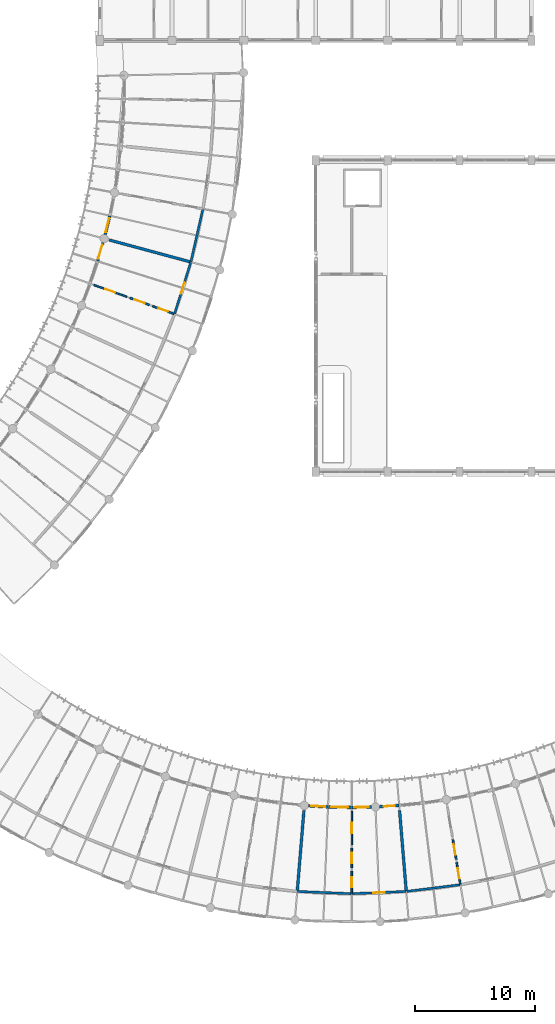
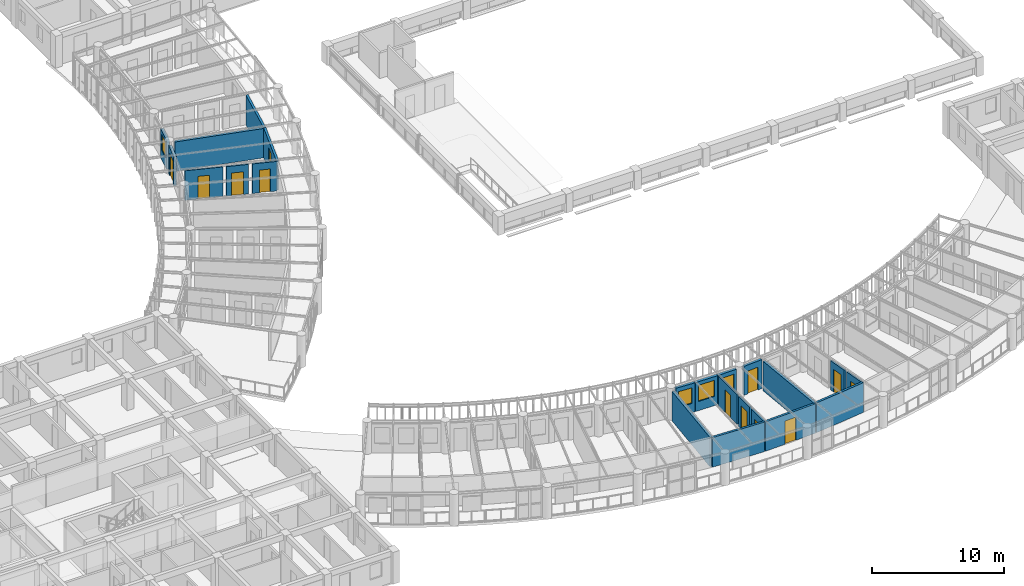
# One storey, part 93 of 137: 22 walls, 12 doors, 4 windows, 16 openings.
"""IFC4 building model written with IfcOpenShell, lengths in metres."""

import ifcopenshell
import ifcopenshell.guid

model = None  # the IFC model being written
_history = None  # IfcOwnerHistory: only IFC2X3 demands one
_inside = {}  # id of a spatial element -> (the spatial element, [elements in it])
_under = {}  # id of a project, library or spatial element -> (it, [spatial elements below it])
_declared = {}  # id of a project -> (the project, [libraries it declares])
_typed = {}  # id of a type object -> (the type object, [elements of that type])
_made_of = {}  # id of a material, layer set ... -> (it, [elements and type objects made of it])


def new_model(schema):
    """Start an empty IFC model of exactly this schema.

    Asked for "IFC4X3", IfcOpenShell would pick the latest addendum, in which some entities
    have other attributes; the version numbers below select the first issue.
    IFC2X3 requires an IfcOwnerHistory on every rooted entity: one is made here for all.
    """
    global model, _history
    if schema == "IFC4X3":
        model = ifcopenshell.file(schema_version=(4, 3, 0, 0))
    else:
        model = ifcopenshell.file(schema=schema)
    _inside.clear()
    _under.clear()
    _declared.clear()
    _typed.clear()
    _made_of.clear()
    _history = None
    if model.schema == "IFC2X3":
        org = make("IfcOrganization", Name="unknown")
        user = make(
            "IfcPersonAndOrganization",
            ThePerson=make("IfcPerson", FamilyName="unknown"),
            TheOrganization=org,
        )
        app = make(
            "IfcApplication",
            ApplicationDeveloper=org,
            Version="unknown",
            ApplicationFullName="unknown",
            ApplicationIdentifier="unknown",
        )
        _history = make(
            "IfcOwnerHistory",
            OwningUser=user,
            OwningApplication=app,
            ChangeAction="ADDED",
            CreationDate=0,
        )
    return model


def make(cls, **values):
    """One entity of the class cls with the attributes given. An attribute that is None is left unset."""
    return model.create_entity(
        cls, **{name: value for name, value in values.items() if value is not None}
    )


def rooted(cls, **values):
    """An entity with a GlobalId (a new one), such as an element, a storey or a relation."""
    return make(cls, GlobalId=ifcopenshell.guid.new(), OwnerHistory=_history, **values)


def si_unit(unit_type, name, prefix=None):
    """IfcSIUnit, for example si_unit("LENGTHUNIT", "METRE", prefix="MILLI")."""
    return make("IfcSIUnit", UnitType=unit_type, Prefix=prefix, Name=name)


def assignment(units):
    """IfcUnitAssignment: the units of a project."""
    return None if units is None else make("IfcUnitAssignment", Units=units)


def point(xyz):
    """IfcCartesianPoint."""
    return None if xyz is None else make("IfcCartesianPoint", Coordinates=xyz)


def direction(xyz):
    """IfcDirection."""
    return None if xyz is None else make("IfcDirection", DirectionRatios=xyz)


def frame(location, z_axis=None, x_axis=None):
    """IfcAxis2Placement3D, a coordinate frame: its origin and axes. An axis left out is left unset."""
    return make(
        "IfcAxis2Placement3D",
        Location=point(location),
        Axis=direction(z_axis),
        RefDirection=direction(x_axis),
    )


def frame_2d(location, x_axis=None):
    """IfcAxis2Placement2D, a coordinate frame in the plane: its origin and x axis."""
    return make(
        "IfcAxis2Placement2D", Location=point(location), RefDirection=direction(x_axis)
    )


def origin():
    """The frame at (0, 0, 0) with its axes left unset."""
    return frame((0.0, 0.0, 0.0))


def place(relative_to, where):
    """IfcLocalPlacement: puts the frame where relative to a parent placement (None: the world)."""
    return make(
        "IfcLocalPlacement", PlacementRelTo=relative_to, RelativePlacement=where
    )


def context(
    kind, dimensions, precision=None, world=None, true_north=None, identifier=None
):
    """IfcGeometricRepresentationContext, for example the 3D "Model" context."""
    return make(
        "IfcGeometricRepresentationContext",
        ContextIdentifier=identifier,
        ContextType=kind,
        CoordinateSpaceDimension=dimensions,
        Precision=precision,
        WorldCoordinateSystem=world,
        TrueNorth=true_north,
    )


def subcontext(parent, identifier, kind, view, scale=None):
    """IfcGeometricRepresentationSubContext, for example "Body" below "Model"."""
    return make(
        "IfcGeometricRepresentationSubContext",
        ContextIdentifier=identifier,
        ContextType=kind,
        ParentContext=parent,
        TargetScale=scale,
        TargetView=view,
    )


def project(units=None, contexts=None):
    """IfcProject with its units and contexts."""
    return rooted(
        "IfcProject",
        Name="project",
        RepresentationContexts=contexts,
        UnitsInContext=assignment(units),
    )


def spatial(cls, under=None, at=None, **own):
    """A site, building, storey or space (cls), placed at a placement, below another one or the project."""
    s = rooted(cls, ObjectPlacement=at, **own)
    if under is not None:
        _under.setdefault(under.id(), (under, []))[1].append(s)
    return s


def profile(cls, at=None, kind="AREA", **sizes):
    """A parametric profile (cls). Its sizes go by their IFC names, for example OverallWidth=200.0."""
    return make(cls, ProfileType=kind, Position=at, **sizes)


def rectangle(**sizes):
    """IfcRectangleProfileDef."""
    return profile("IfcRectangleProfileDef", **sizes)


def extrude(swept, where, along, depth):
    """IfcExtrudedAreaSolid: the profile swept, set in the frame where, extruded along a direction by depth."""
    return make(
        "IfcExtrudedAreaSolid",
        SweptArea=swept,
        Position=where,
        ExtrudedDirection=direction(along),
        Depth=depth,
    )


def shape(context_of_items, identifier, shape_type, items):
    """IfcShapeRepresentation: the items that make up one representation, for example the "Body"."""
    return make(
        "IfcShapeRepresentation",
        ContextOfItems=context_of_items,
        RepresentationIdentifier=identifier,
        RepresentationType=shape_type,
        Items=items,
    )


def material(Name=None, Category=None):
    """IfcMaterial."""
    return make("IfcMaterial", Name=Name, Category=Category)


def layer(
    of_material, thickness, ventilated=None, Name=None, Category=None, Priority=None
):
    """IfcMaterialLayer: one layer of a wall or slab, of a material (None: an air gap)."""
    return make(
        "IfcMaterialLayer",
        Material=of_material,
        LayerThickness=thickness,
        IsVentilated=ventilated,
        Name=Name,
        Category=Category,
        Priority=Priority,
    )


def layer_set(layers, Name=None):
    """IfcMaterialLayerSet."""
    return make("IfcMaterialLayerSet", MaterialLayers=layers, LayerSetName=Name)


def made_of(thing, what):
    """Note that an element or type object is made of a material, layer set ...; save() writes the relation."""
    if what is not None:
        _made_of.setdefault(what.id(), (what, []))[1].append(thing)
    return thing


def type_object(cls, material=None, **own):
    """A type object (cls), such as IfcWallType, which elements share."""
    return made_of(rooted(cls, **own), material)


def element(
    cls,
    number,
    at=None,
    inside=None,
    cuts=None,
    type_object=None,
    material=None,
    context=None,
    identifier="Body",
    shape_type=None,
    held_by="IfcProductDefinitionShape",
    body=None,
    shapes=None,
    **own,
):
    """One element of the class cls, such as IfcWall. Its Tag is "e" and its number.

    at: its placement. inside: the storey or other place that contains it. cuts: it is an
    opening in that element (IfcRelVoidsElement). A single representation is given by context,
    identifier, shape_type and body (its items); several are given by shapes. held_by: the class
    of the entity that holds the representations. save() writes the other relations.
    """
    e = rooted(cls, Tag="e%d" % number, ObjectPlacement=at, **own)
    if body is not None:
        shapes = [shape(context, identifier, shape_type, body)]
    if shapes is not None:
        e.Representation = make(held_by, Representations=shapes)
    if inside is not None:
        _inside.setdefault(inside.id(), (inside, []))[1].append(e)
    if cuts is not None:
        rooted(
            "IfcRelVoidsElement", RelatingBuildingElement=cuts, RelatedOpeningElement=e
        )
    if type_object is not None:
        _typed.setdefault(type_object.id(), (type_object, []))[1].append(e)
    return made_of(e, material)


def fill(opening, filler):
    """IfcRelFillsElement: the door or window that sits in an opening."""
    return rooted(
        "IfcRelFillsElement",
        RelatingOpeningElement=opening,
        RelatedBuildingElement=filler,
    )


def aggregate(whole, parts):
    """IfcRelAggregates: a whole, such as a stair, and the parts it consists of."""
    return rooted("IfcRelAggregates", RelatingObject=whole, RelatedObjects=parts)


def save(model, path):
    """Write the relations noted so far, then the file.

    IfcRelAggregates (storeys below a building ...), IfcRelContainedInSpatialStructure (elements
    in a storey), IfcRelDefinesByType, IfcRelAssociatesMaterial and IfcRelDeclares: one each for
    every whole, place, type object, material and project.
    """
    for whole, parts in _under.values():
        aggregate(whole, parts)
    for where, things in _inside.values():
        rooted(
            "IfcRelContainedInSpatialStructure",
            RelatedElements=things,
            RelatingStructure=where,
        )
    for kind, things in _typed.values():
        rooted("IfcRelDefinesByType", RelatedObjects=things, RelatingType=kind)
    for what, things in _made_of.values():
        rooted("IfcRelAssociatesMaterial", RelatedObjects=things, RelatingMaterial=what)
    for by, libraries in _declared.values():
        rooted("IfcRelDeclares", RelatingContext=by, RelatedDefinitions=libraries)
    model.write(path)


model = new_model("IFC4")

# Units and contexts
model_context = context("Model", 3, precision=1e-05, world=origin(), true_north=direction((0.0, 1.0)))
body_context = subcontext(model_context, "Body", "Model", "MODEL_VIEW")
ifc_project = project(units=[si_unit("LENGTHUNIT", "METRE"), si_unit("AREAUNIT", "SQUARE_METRE"), si_unit("VOLUMEUNIT", "CUBIC_METRE"), si_unit("PLANEANGLEUNIT", "RADIAN"), si_unit("MASSUNIT", "GRAM", prefix="KILO"), si_unit("POWERUNIT", "WATT"), si_unit("THERMODYNAMICTEMPERATUREUNIT", "KELVIN")], contexts=[model_context])

# Site, building, storey
site_placement = place(None, origin())
site = spatial("IfcSite", under=ifc_project, at=site_placement, CompositionType="ELEMENT")
building_placement = place(site_placement, origin())
building = spatial("IfcBuilding", under=site, at=building_placement, Name="Ruvembo Vaulted Housing Court", CompositionType="ELEMENT")
storey_placement = place(building_placement, frame((0.0, 0.0, 4.5)))
storey = spatial("IfcBuildingStorey", under=building, at=storey_placement, Name="L01", CompositionType="ELEMENT", Elevation=4.5)

# Wall, opening, door
ifc_material_1 = material(Name="Concrete Blockwork 190", Category="masonry")
ifc_layer_1 = layer(ifc_material_1, 0.18994140625, Name="Concrete Blockwork 190")
ifc_layer_set_1 = layer_set([ifc_layer_1], Name="Concrete Blockwork 190")
wall_type_1 = type_object("IfcWallType", Name="WL-CORR-190", PredefinedType="SOLIDWALL", material=ifc_layer_set_1)
wall_1_placement = place(storey_placement, frame((54.222412109375, 55.214599609375, 0.0), z_axis=(0.0, 0.0, 1.0), x_axis=(0.300377958446, 0.953820256694, 0.0)))
wall_1 = element("IfcWall", 1, at=wall_1_placement, inside=storey, type_object=wall_type_1, Name="L01 Suite SC1-L01-U3 Entrance WL-INT-L01-00383", PredefinedType="SOLIDWALL", context=body_context, shape_type="SweptSolid", body=[
    extrude(rectangle(XDim=4.467041015625, YDim=0.18994140625, at=frame_2d((2.2333984375, 0.0))), origin(), (0.0, 0.0, 1.0), 2.761962890625),
])
opening_1_placement = place(wall_1_placement, frame((1.743408203125, 0.0, 0.0)))
opening_1 = element("IfcOpeningElement", 2, at=opening_1_placement, cuts=wall_1, Name="Opening FD2", PredefinedType="OPENING", context=body_context, shape_type="SweptSolid", body=[
    extrude(rectangle(XDim=0.97998046875, YDim=2.14990234375, at=frame_2d((0.489990234375, 1.074951171875))), frame((0.0, 0.10498046875, 0.0), z_axis=(0.0, -1.0, 0.0), x_axis=(1.0, 0.0, 0.0)), (0.0, 0.0, 1.0), 0.2099609375),
])
ifc_material_2 = material(Name="FSC Hardwood and Engineered Timber", Category="wood")
door_type_1 = type_object("IfcDoorType", Name="DR-FLAT-0980x2150", OperationType="NOTDEFINED", PredefinedType="DOOR", material=ifc_material_2)
door_1_placement = place(opening_1_placement, origin())
door_1 = element("IfcDoor", 3, at=door_1_placement, inside=storey, type_object=door_type_1, Name="L01 Suite SC1-L01-U3 Entrance Door DR-INT-L01-00196", OperationType="SINGLE_SWING_RIGHT", OverallHeight=2.14990234375, OverallWidth=0.97998046875, PredefinedType="DOOR", context=body_context, shape_type="SweptSolid", body=[
    extrude(rectangle(XDim=0.97998046875, YDim=2.14990234375, at=frame_2d((0.489990234375, 1.074951171875))), frame((0.0, 0.02490234375, 0.0), z_axis=(0.0, -1.0, 0.0), x_axis=(1.0, 0.0, 0.0)), (0.0, 0.0, 1.0), 0.050048828125),
])
fill(opening_1, door_1)

# Walls
wall_2_placement = place(storey_placement, frame((55.5849609375, 59.552490234375, 0.0), z_axis=(0.0, 0.0, 1.0), x_axis=(0.221221895428, 0.97522349899, 0.0)))
element("IfcWall", 4, at=wall_2_placement, inside=storey, type_object=wall_type_1, Name="L01 Suite SC1-L01-U4 Gallery Wall WL-INT-L01-00388", PredefinedType="SOLIDWALL", context=body_context, shape_type="SweptSolid", body=[
    extrude(rectangle(XDim=4.46728515625, YDim=0.18994140625, at=frame_2d((2.233642578125, 0.0))), origin(), (0.0, 0.0, 1.0), 2.741943359375),
])
wall_3_placement = place(storey_placement, frame((64.49072265625, 6.986083984375, 0.0), z_axis=(0.0, 0.0, 1.0), x_axis=(0.999148329529, -0.041262762871, 0.0)))
element("IfcWall", 5, at=wall_3_placement, inside=storey, type_object=wall_type_1, Name="L01 Suite SC2-L01-U4 Gallery Wall WL-INT-L01-00417", PredefinedType="SOLIDWALL", context=body_context, shape_type="SweptSolid", body=[
    extrude(rectangle(XDim=4.47314453125, YDim=0.18994140625, at=frame_2d((2.236572265625, 0.0))), origin(), (0.0, 0.0, 1.0), 2.741943359375),
])

# Wall, opening, door
wall_4_placement = place(storey_placement, frame((69.0400390625, 6.801513671875, 0.0), z_axis=(0.0, 0.0, 1.0), x_axis=(0.999148329529, 0.041262762871, 0.0)))
wall_4 = element("IfcWall", 6, at=wall_4_placement, inside=storey, type_object=wall_type_1, Name="L01 Suite SC2-L01-U4 Entrance WL-INT-L01-00418", PredefinedType="SOLIDWALL", context=body_context, shape_type="SweptSolid", body=[
    extrude(rectangle(XDim=4.47314453125, YDim=0.18994140625, at=frame_2d((2.236572265625, 0.0))), origin(), (0.0, 0.0, 1.0), 2.721923828125),
])
opening_2_placement = place(wall_4_placement, frame((1.74658203125, 0.0, 0.0)))
opening_2 = element("IfcOpeningElement", 7, at=opening_2_placement, cuts=wall_4, Name="Opening FD2", PredefinedType="OPENING", context=body_context, shape_type="SweptSolid", body=[
    extrude(rectangle(XDim=0.97998046875, YDim=2.14990234375, at=frame_2d((0.489990234375, 1.074951171875))), frame((0.0, 0.10498046875, 0.0), z_axis=(0.0, -1.0, 0.0), x_axis=(1.0, 0.0, 0.0)), (0.0, 0.0, 1.0), 0.2099609375),
])
door_2_placement = place(opening_2_placement, origin())
door_2 = element("IfcDoor", 8, at=door_2_placement, inside=storey, type_object=door_type_1, Name="L01 Suite SC2-L01-U4 Entrance Door DR-INT-L01-00220", OperationType="SINGLE_SWING_RIGHT", OverallHeight=2.14990234375, OverallWidth=0.97998046875, PredefinedType="DOOR", context=body_context, shape_type="SweptSolid", body=[
    extrude(rectangle(XDim=0.97998046875, YDim=2.14990234375, at=frame_2d((0.489990234375, 1.074951171875))), frame((0.0, 0.02490234375, 0.0), z_axis=(0.0, -1.0, 0.0), x_axis=(1.0, 0.0, 0.0)), (0.0, 0.0, 1.0), 0.050048828125),
])
fill(opening_2, door_2)

# Walls
wall_5_placement = place(storey_placement, frame((73.5888671875, 6.99267578125, 0.0), z_axis=(0.0, 0.0, 1.0), x_axis=(0.992349088432, 0.123463705959, 0.0)))
element("IfcWall", 9, at=wall_5_placement, inside=storey, type_object=wall_type_1, Name="L01 Suite SC2-L01-U5 Gallery Wall WL-INT-L01-00423", PredefinedType="SOLIDWALL", context=body_context, shape_type="SweptSolid", body=[
    extrude(rectangle(XDim=4.472900390625, YDim=0.18994140625, at=frame_2d((2.236328125, 0.0))), origin(), (0.0, 0.0, 1.0), 2.761962890625),
])
ifc_material_3 = material(Name="Acoustic Masonry Demising 230", Category="masonry")
ifc_layer_2 = layer(ifc_material_3, 0.22998046875, Name="Acoustic Masonry Demising 230")
ifc_layer_set_2 = layer_set([ifc_layer_2], Name="Acoustic Masonry Demising 230")
wall_type_2 = type_object("IfcWallType", Name="WL-DEM-230", PredefinedType="SOLIDWALL", material=ifc_layer_set_2)
wall_6_placement = place(storey_placement, frame((48.7607421875, 61.3564453125, 0.0), z_axis=(0.0, 0.0, 1.0), x_axis=(0.965329768393, -0.26103340448, 0.0)))
element("IfcWall", 10, at=wall_6_placement, inside=storey, type_object=wall_type_2, Name="L01 Suite SC1-L01-U3 Demising WL-INT-L01-00387", PredefinedType="SOLIDWALL", context=body_context, shape_type="SweptSolid", body=[
    extrude(rectangle(XDim=7.020263671875, YDim=0.22998046875, at=frame_2d((3.51025390625, 0.0))), origin(), (0.0, 0.0, 1.0), 2.721923828125),
])
wall_7_placement = place(storey_placement, frame((65.00927734375, 13.74072265625, 0.0), z_axis=(0.0, 0.0, 1.0), x_axis=(-0.082418569382, -0.996597802236, 0.0)))
element("IfcWall", 11, at=wall_7_placement, inside=storey, type_object=wall_type_2, Name="L01 Suite SC2-L01-U3 Demising WL-INT-L01-00416", PredefinedType="SOLIDWALL", context=body_context, shape_type="SweptSolid", body=[
    extrude(rectangle(XDim=6.736083984375, YDim=0.22998046875, at=frame_2d((3.3681640625, 0.0))), origin(), (0.0, 0.0, 1.0), 2.721923828125),
])
wall_8_placement = place(storey_placement, frame((72.99072265625, 13.74072265625, 0.0), z_axis=(0.0, 0.0, 1.0), x_axis=(0.082418569382, -0.996597802236, 0.0)))
element("IfcWall", 12, at=wall_8_placement, inside=storey, type_object=wall_type_2, Name="L01 Suite SC2-L01-U4 Demising WL-INT-L01-00422", PredefinedType="SOLIDWALL", context=body_context, shape_type="SweptSolid", body=[
    extrude(rectangle(XDim=6.736083984375, YDim=0.22998046875, at=frame_2d((3.3681640625, 0.0))), origin(), (0.0, 0.0, 1.0), 2.741943359375),
])

# Wall, opening, door
ifc_material_4 = material(Name="Rendered Masonry 235", Category="masonry")
ifc_layer_3 = layer(ifc_material_4, 0.235107421875, Name="Rendered Masonry 235")
ifc_layer_set_3 = layer_set([ifc_layer_3], Name="Rendered Masonry 235")
wall_type_3 = type_object("IfcWallType", Name="WL-EXT-235", PredefinedType="STANDARD", material=ifc_layer_set_3)
wall_9_placement = place(storey_placement, frame((47.78955078125, 59.602783203125, 0.0), z_axis=(0.0, 0.0, 1.0), x_axis=(0.28073386291, 0.959785652224, 0.0)))
wall_9 = element("IfcWall", 13, at=wall_9_placement, inside=storey, type_object=wall_type_3, Name="Scoop SC1 L01 Concave Balcony Wall 11", PredefinedType="STANDARD", context=body_context, shape_type="SweptSolid", body=[
    extrude(rectangle(XDim=1.5966796875, YDim=0.235107421875, at=frame_2d((0.79833984375, 0.0))), origin(), (0.0, 0.0, 1.0), 2.68408203125),
])
opening_3_placement = place(wall_9_placement, frame((0.198486328125, 0.0, 0.0)))
opening_3 = element("IfcOpeningElement", 14, at=opening_3_placement, cuts=wall_9, Name="Opening BD2", PredefinedType="OPENING", context=body_context, shape_type="SweptSolid", body=[
    extrude(rectangle(XDim=1.199951171875, YDim=2.14990234375, at=frame_2d((0.60009765625, 1.074951171875))), frame((0.0, 0.12744140625, 0.0), z_axis=(0.0, -1.0, 0.0), x_axis=(1.0, 0.0, 0.0)), (0.0, 0.0, 1.0), 0.255126953125),
])
ifc_material_5 = material(Name="Thermally Broken Glazed Aluminium", Category="aluminium")
door_type_2 = type_object("IfcDoorType", Name="DR-BAL-1200x2150", OperationType="NOTDEFINED", PredefinedType="DOOR", material=ifc_material_5)
door_3_placement = place(opening_3_placement, origin())
door_3 = element("IfcDoor", 15, at=door_3_placement, inside=storey, type_object=door_type_2, Name="Scoop SC1 L01 Balcony Door 11", OperationType="SINGLE_SWING_RIGHT", OverallHeight=2.14990234375, OverallWidth=1.199951171875, PredefinedType="DOOR", context=body_context, shape_type="SweptSolid", body=[
    extrude(rectangle(XDim=1.199951171875, YDim=2.14990234375, at=frame_2d((0.60009765625, 1.074951171875))), frame((0.0, 0.02490234375, 0.0), z_axis=(0.0, -1.0, 0.0), x_axis=(1.0, 0.0, 0.0)), (0.0, 0.0, 1.0), 0.050048828125),
])
fill(opening_3, door_3)

# Wall, opening, window
wall_10_placement = place(storey_placement, frame((48.42041015625, 61.810791015625, 0.0), z_axis=(0.0, 0.0, 1.0), x_axis=(0.241240447943, 0.970465376135, 0.0)))
wall_10 = element("IfcWall", 16, at=wall_10_placement, inside=storey, type_object=wall_type_3, Name="Scoop SC1 L01 Concave Balcony Wall 12", PredefinedType="STANDARD", context=body_context, shape_type="SweptSolid", body=[
    extrude(rectangle(XDim=1.596923828125, YDim=0.235107421875, at=frame_2d((0.79833984375, 0.0))), origin(), (0.0, 0.0, 1.0), 2.68408203125),
])
opening_4_placement = place(wall_10_placement, frame((0.198486328125, 0.0, 0.85009765625)))
opening_4 = element("IfcOpeningElement", 17, at=opening_4_placement, cuts=wall_10, Name="Opening W14", PredefinedType="OPENING", context=body_context, shape_type="SweptSolid", body=[
    extrude(rectangle(XDim=1.199951171875, YDim=1.5, at=frame_2d((0.60009765625, 0.75))), frame((0.0, 0.12744140625, 0.0), z_axis=(0.0, -1.0, 0.0), x_axis=(1.0, 0.0, 0.0)), (0.0, 0.0, 1.0), 0.255126953125),
])
ifc_material_6 = material(Name="Double Solar-Control Glazing in Aluminium Frame", Category="aluminium")
window_type_1 = type_object("IfcWindowType", Name="WIN-1200x1500", PartitioningType="SINGLE_PANEL", PredefinedType="WINDOW", material=ifc_material_6)
window_1_placement = place(opening_4_placement, origin())
window_1 = element("IfcWindow", 18, at=window_1_placement, inside=storey, type_object=window_type_1, Name="Scoop SC1 L01 Concave Window 12", OverallHeight=1.5, OverallWidth=1.199951171875, PartitioningType="SINGLE_PANEL", PredefinedType="WINDOW", context=body_context, shape_type="SweptSolid", body=[
    extrude(rectangle(XDim=1.199951171875, YDim=1.5, at=frame_2d((0.60009765625, 0.75))), frame((0.0, 0.030029296875, 0.0), z_axis=(0.0, -1.0, 0.0), x_axis=(1.0, 0.0, 0.0)), (0.0, 0.0, 1.0), 0.06005859375),
])
fill(opening_4, window_1)

wall_11_placement = place(storey_placement, frame((65.3935546875, 14.1416015625, 0.0), z_axis=(0.0, 0.0, 1.0), x_axis=(0.998084310064, -0.061868489594, 0.0)))
wall_11 = element("IfcWall", 19, at=wall_11_placement, inside=storey, type_object=wall_type_3, Name="Scoop SC2 L01 Concave Balcony Wall 12", PredefinedType="STANDARD", context=body_context, shape_type="SweptSolid", body=[
    extrude(rectangle(XDim=1.610107421875, YDim=0.235107421875, at=frame_2d((0.80517578125, 0.0))), origin(), (0.0, 0.0, 1.0), 2.68408203125),
])
opening_5_placement = place(wall_11_placement, frame((0.22998046875, 0.0, 0.85009765625)))
opening_5 = element("IfcOpeningElement", 20, at=opening_5_placement, cuts=wall_11, Name="Opening W11", PredefinedType="OPENING", context=body_context, shape_type="SweptSolid", body=[
    extrude(rectangle(XDim=1.14990234375, YDim=1.449951171875, at=frame_2d((0.574951171875, 0.72509765625))), frame((0.0, 0.12744140625, 0.0), z_axis=(0.0, -1.0, 0.0), x_axis=(1.0, 0.0, 0.0)), (0.0, 0.0, 1.0), 0.255126953125),
])
window_type_2 = type_object("IfcWindowType", Name="WIN-1150x1450", PartitioningType="SINGLE_PANEL", PredefinedType="WINDOW", material=ifc_material_6)
window_2_placement = place(opening_5_placement, origin())
window_2 = element("IfcWindow", 21, at=window_2_placement, inside=storey, type_object=window_type_2, Name="Scoop SC2 L01 Concave Window 12", OverallHeight=1.449951171875, OverallWidth=1.14990234375, PartitioningType="SINGLE_PANEL", PredefinedType="WINDOW", context=body_context, shape_type="SweptSolid", body=[
    extrude(rectangle(XDim=1.14990234375, YDim=1.449951171875, at=frame_2d((0.574951171875, 0.72509765625))), frame((0.0, 0.030029296875, 0.0), z_axis=(0.0, -1.0, 0.0), x_axis=(1.0, 0.0, 0.0)), (0.0, 0.0, 1.0), 0.06005859375),
])
fill(opening_5, window_2)

wall_12_placement = place(storey_placement, frame((67.040283203125, 14.040283203125, 0.0), z_axis=(0.0, 0.0, 1.0), x_axis=(0.999789612304, -0.020511731505, 0.0)))
wall_12 = element("IfcWall", 22, at=wall_12_placement, inside=storey, type_object=wall_type_3, Name="Scoop SC2 L01 Concave Balcony Wall 13", PredefinedType="STANDARD", context=body_context, shape_type="SweptSolid", body=[
    extrude(rectangle(XDim=1.940185546875, YDim=0.235107421875, at=frame_2d((0.97021484375, 0.0))), origin(), (0.0, 0.0, 1.0), 2.68408203125),
])
opening_6_placement = place(wall_12_placement, frame((0.27001953125, 0.0, 0.85009765625)))
opening_6 = element("IfcOpeningElement", 23, at=opening_6_placement, cuts=wall_12, Name="Opening W17", PredefinedType="OPENING", context=body_context, shape_type="SweptSolid", body=[
    extrude(rectangle(XDim=1.39990234375, YDim=1.5, at=frame_2d((0.699951171875, 0.75))), frame((0.0, 0.12744140625, 0.0), z_axis=(0.0, -1.0, 0.0), x_axis=(1.0, 0.0, 0.0)), (0.0, 0.0, 1.0), 0.255126953125),
])
window_type_3 = type_object("IfcWindowType", Name="WIN-1400x1500", PartitioningType="SINGLE_PANEL", PredefinedType="WINDOW", material=ifc_material_6)
window_3_placement = place(opening_6_placement, origin())
window_3 = element("IfcWindow", 24, at=window_3_placement, inside=storey, type_object=window_type_3, Name="Scoop SC2 L01 Concave Window 13", OverallHeight=1.5, OverallWidth=1.39990234375, PartitioningType="SINGLE_PANEL", PredefinedType="WINDOW", context=body_context, shape_type="SweptSolid", body=[
    extrude(rectangle(XDim=1.39990234375, YDim=1.5, at=frame_2d((0.699951171875, 0.75))), frame((0.0, 0.030029296875, 0.0), z_axis=(0.0, -1.0, 0.0), x_axis=(1.0, 0.0, 0.0)), (0.0, 0.0, 1.0), 0.06005859375),
])
fill(opening_6, window_3)

wall_13_placement = place(storey_placement, frame((69.02001953125, 14.00048828125, 0.0), z_axis=(0.0, 0.0, 1.0), x_axis=(0.999787311946, 0.020623551407, 0.0)))
wall_13 = element("IfcWall", 25, at=wall_13_placement, inside=storey, type_object=wall_type_3, Name="Scoop SC2 L01 Concave Balcony Wall 14", PredefinedType="STANDARD", context=body_context, shape_type="SweptSolid", body=[
    extrude(rectangle(XDim=1.60986328125, YDim=0.235107421875, at=frame_2d((0.804931640625, 0.0))), origin(), (0.0, 0.0, 1.0), 2.68408203125),
])
opening_7_placement = place(wall_13_placement, frame((0.205078125, 0.0, 0.85009765625)))
opening_7 = element("IfcOpeningElement", 26, at=opening_7_placement, cuts=wall_13, Name="Opening W13", PredefinedType="OPENING", context=body_context, shape_type="SweptSolid", body=[
    extrude(rectangle(XDim=1.199951171875, YDim=1.449951171875, at=frame_2d((0.60009765625, 0.72509765625))), frame((0.0, 0.12744140625, 0.0), z_axis=(0.0, -1.0, 0.0), x_axis=(1.0, 0.0, 0.0)), (0.0, 0.0, 1.0), 0.255126953125),
])
window_type_4 = type_object("IfcWindowType", Name="WIN-1200x1450", PartitioningType="SINGLE_PANEL", PredefinedType="WINDOW", material=ifc_material_6)
window_4_placement = place(opening_7_placement, origin())
window_4 = element("IfcWindow", 27, at=window_4_placement, inside=storey, type_object=window_type_4, Name="Scoop SC2 L01 Concave Window 14", OverallHeight=1.449951171875, OverallWidth=1.199951171875, PartitioningType="SINGLE_PANEL", PredefinedType="WINDOW", context=body_context, shape_type="SweptSolid", body=[
    extrude(rectangle(XDim=1.199951171875, YDim=1.449951171875, at=frame_2d((0.60009765625, 0.72509765625))), frame((0.0, 0.030029296875, 0.0), z_axis=(0.0, -1.0, 0.0), x_axis=(1.0, 0.0, 0.0)), (0.0, 0.0, 1.0), 0.06005859375),
])
fill(opening_7, window_4)

# Wall, opening, door
wall_14_placement = place(storey_placement, frame((71.328857421875, 14.0625, 0.0), z_axis=(0.0, 0.0, 1.0), x_axis=(0.998084310064, 0.061868489594, 0.0)))
wall_14 = element("IfcWall", 28, at=wall_14_placement, inside=storey, type_object=wall_type_3, Name="Scoop SC2 L01 Concave Balcony Wall 15", PredefinedType="STANDARD", context=body_context, shape_type="SweptSolid", body=[
    extrude(rectangle(XDim=1.610107421875, YDim=0.235107421875, at=frame_2d((0.80517578125, 0.0))), origin(), (0.0, 0.0, 1.0), 2.68408203125),
])
opening_8_placement = place(wall_14_placement, frame((0.330078125, 0.0, 0.0)))
opening_8 = element("IfcOpeningElement", 29, at=opening_8_placement, cuts=wall_14, Name="Opening BD0", PredefinedType="OPENING", context=body_context, shape_type="SweptSolid", body=[
    extrude(rectangle(XDim=0.949951171875, YDim=2.1201171875, at=frame_2d((0.47509765625, 1.06005859375))), frame((0.0, 0.12744140625, 0.0), z_axis=(0.0, -1.0, 0.0), x_axis=(1.0, 0.0, 0.0)), (0.0, 0.0, 1.0), 0.255126953125),
])
door_type_3 = type_object("IfcDoorType", Name="DR-BAL-0950x2120", OperationType="NOTDEFINED", PredefinedType="DOOR", material=ifc_material_5)
door_4_placement = place(opening_8_placement, origin())
door_4 = element("IfcDoor", 30, at=door_4_placement, inside=storey, type_object=door_type_3, Name="Scoop SC2 L01 Balcony Door 15", OperationType="SINGLE_SWING_LEFT", OverallHeight=2.1201171875, OverallWidth=0.949951171875, PredefinedType="DOOR", context=body_context, shape_type="SweptSolid", body=[
    extrude(rectangle(XDim=0.949951171875, YDim=2.1201171875, at=frame_2d((0.47509765625, 1.06005859375))), frame((0.0, 0.02490234375, 0.0), z_axis=(0.0, -1.0, 0.0), x_axis=(1.0, 0.0, 0.0)), (0.0, 0.0, 1.0), 0.050048828125),
])
fill(opening_8, door_4)

ifc_material_7 = material(Name="Plasterboard Stud Partition 125", Category="gypsum")
ifc_layer_4 = layer(ifc_material_7, 0.125, Name="Plasterboard Stud Partition 125")
ifc_layer_set_4 = layer_set([ifc_layer_4], Name="Plasterboard Stud Partition 125")
wall_type_4 = type_object("IfcWallType", Name="WL-PART-125", PredefinedType="PARTITIONING", material=ifc_layer_set_4)
wall_15_placement = place(storey_placement, frame((69.0, 13.672119140625, 0.0), z_axis=(0.0, 0.0, 1.0), x_axis=(0.0, -1.0, 0.0)))
wall_15 = element("IfcWall", 31, at=wall_15_placement, inside=storey, type_object=wall_type_4, Name="L01 Suite SC2-L01-U4 Bedroom WL-INT-L01-00419", PredefinedType="PARTITIONING", context=body_context, shape_type="SweptSolid", body=[
    extrude(rectangle(XDim=2.800048828125, YDim=0.125, at=frame_2d((1.39990234375, 0.0))), origin(), (0.0, 0.0, 1.0), 2.761962890625),
])
opening_9_placement = place(wall_15_placement, frame((0.9599609375, 0.0, 0.0)))
opening_9 = element("IfcOpeningElement", 32, at=opening_9_placement, cuts=wall_15, Name="Opening ID3", PredefinedType="OPENING", context=body_context, shape_type="SweptSolid", body=[
    extrude(rectangle(XDim=0.8798828125, YDim=2.10009765625, at=frame_2d((0.43994140625, 1.050048828125))), frame((0.0, 0.072509765625, 0.0), z_axis=(0.0, -1.0, 0.0), x_axis=(1.0, 0.0, 0.0)), (0.0, 0.0, 1.0), 0.14501953125),
])
door_type_4 = type_object("IfcDoorType", Name="DR-ROOM-0880x2100", OperationType="NOTDEFINED", PredefinedType="DOOR", material=ifc_material_2)
door_5_placement = place(opening_9_placement, origin())
door_5 = element("IfcDoor", 33, at=door_5_placement, inside=storey, type_object=door_type_4, Name="L01 Suite SC2-L01-U4 Bedroom Door DR-INT-L01-00221", OperationType="SINGLE_SWING_LEFT", OverallHeight=2.10009765625, OverallWidth=0.8798828125, PredefinedType="DOOR", context=body_context, shape_type="SweptSolid", body=[
    extrude(rectangle(XDim=0.8798828125, YDim=2.10009765625, at=frame_2d((0.43994140625, 1.050048828125))), frame((0.0, 0.02490234375, 0.0), z_axis=(0.0, -1.0, 0.0), x_axis=(1.0, 0.0, 0.0)), (0.0, 0.0, 1.0), 0.050048828125),
])
fill(opening_9, door_5)

ifc_material_8 = material(Name="Acoustic Stud Partition 135", Category="gypsum")
ifc_layer_5 = layer(ifc_material_8, 0.135009765625, Name="Acoustic Stud Partition 135")
ifc_layer_set_5 = layer_set([ifc_layer_5], Name="Acoustic Stud Partition 135")
wall_type_5 = type_object("IfcWallType", Name="WL-PART-135", PredefinedType="PARTITIONING", material=ifc_layer_set_5)
wall_16_placement = place(storey_placement, frame((47.474609375, 57.604736328125, 0.0), z_axis=(0.0, 0.0, 1.0), x_axis=(0.940746643475, -0.33911023693, 0.0)))
wall_16 = element("IfcWall", 34, at=wall_16_placement, inside=storey, type_object=wall_type_5, Name="L01 Suite SC1-L01-U3 Bedroom WL-INT-L01-00384", PredefinedType="PARTITIONING", context=body_context, shape_type="SweptSolid", body=[
    extrude(rectangle(XDim=2.920166015625, YDim=0.135009765625, at=frame_2d((1.4599609375, 0.0))), origin(), (0.0, 0.0, 1.0), 2.741943359375),
])
opening_10_placement = place(wall_16_placement, frame((1.02001953125, 0.0, 0.0)))
opening_10 = element("IfcOpeningElement", 35, at=opening_10_placement, cuts=wall_16, Name="Opening ID3", PredefinedType="OPENING", context=body_context, shape_type="SweptSolid", body=[
    extrude(rectangle(XDim=0.8798828125, YDim=2.10009765625, at=frame_2d((0.43994140625, 1.050048828125))), frame((0.0, 0.077392578125, 0.0), z_axis=(0.0, -1.0, 0.0), x_axis=(1.0, 0.0, 0.0)), (0.0, 0.0, 1.0), 0.155029296875),
])
door_6_placement = place(opening_10_placement, origin())
door_6 = element("IfcDoor", 36, at=door_6_placement, inside=storey, type_object=door_type_4, Name="L01 Suite SC1-L01-U3 Bedroom Door DR-INT-L01-00197", OperationType="SINGLE_SWING_LEFT", OverallHeight=2.10009765625, OverallWidth=0.8798828125, PredefinedType="DOOR", context=body_context, shape_type="SweptSolid", body=[
    extrude(rectangle(XDim=0.8798828125, YDim=2.10009765625, at=frame_2d((0.43994140625, 1.050048828125))), frame((0.0, 0.02490234375, 0.0), z_axis=(0.0, -1.0, 0.0), x_axis=(1.0, 0.0, 0.0)), (0.0, 0.0, 1.0), 0.050048828125),
])
fill(opening_10, door_6)

ifc_material_9 = material(Name="Moisture-Resistant Wet Partition 150", Category="gypsum")
ifc_layer_6 = layer(ifc_material_9, 0.14990234375, Name="Moisture-Resistant Wet Partition 150")
ifc_layer_set_6 = layer_set([ifc_layer_6], Name="Moisture-Resistant Wet Partition 150")
wall_type_6 = type_object("IfcWallType", Name="WL-PART-150", PredefinedType="PARTITIONING", material=ifc_layer_set_6)
wall_17_placement = place(storey_placement, frame((52.366455078125, 55.841064453125, 0.0), z_axis=(0.0, 0.0, 1.0), x_axis=(0.94073656273, -0.339138201244, 0.0)))
wall_17 = element("IfcWall", 37, at=wall_17_placement, inside=storey, type_object=wall_type_6, Name="L01 Suite SC1-L01-U3 Bathroom WL-INT-L01-00386", PredefinedType="PARTITIONING", context=body_context, shape_type="SweptSolid", body=[
    extrude(rectangle(XDim=1.919921875, YDim=0.14990234375, at=frame_2d((0.9599609375, 0.0))), origin(), (0.0, 0.0, 1.0), 2.741943359375),
])
opening_11_placement = place(wall_17_placement, frame((0.534912109375, 0.0, 0.0)))
opening_11 = element("IfcOpeningElement", 38, at=opening_11_placement, cuts=wall_17, Name="Opening ID2", PredefinedType="OPENING", context=body_context, shape_type="SweptSolid", body=[
    extrude(rectangle(XDim=0.85009765625, YDim=2.10009765625, at=frame_2d((0.425048828125, 1.050048828125))), frame((0.0, 0.0849609375, 0.0), z_axis=(0.0, -1.0, 0.0), x_axis=(1.0, 0.0, 0.0)), (0.0, 0.0, 1.0), 0.169921875),
])
door_type_5 = type_object("IfcDoorType", Name="DR-WET-0850x2100", OperationType="NOTDEFINED", PredefinedType="DOOR", material=ifc_material_2)
door_7_placement = place(opening_11_placement, origin())
door_7 = element("IfcDoor", 39, at=door_7_placement, inside=storey, type_object=door_type_5, Name="L01 Suite SC1-L01-U3 Bathroom Door DR-INT-L01-00199", OperationType="SINGLE_SWING_LEFT", OverallHeight=2.10009765625, OverallWidth=0.85009765625, PredefinedType="DOOR", context=body_context, shape_type="SweptSolid", body=[
    extrude(rectangle(XDim=0.85009765625, YDim=2.10009765625, at=frame_2d((0.425048828125, 1.050048828125))), frame((0.0, 0.02490234375, 0.0), z_axis=(0.0, -1.0, 0.0), x_axis=(1.0, 0.0, 0.0)), (0.0, 0.0, 1.0), 0.050048828125),
])
fill(opening_11, door_7)

wall_18_placement = place(storey_placement, frame((69.0, 8.679931640625, 0.0), z_axis=(0.0, 0.0, 1.0), x_axis=(0.0, -1.0, 0.0)))
wall_18 = element("IfcWall", 40, at=wall_18_placement, inside=storey, type_object=wall_type_6, Name="L01 Suite SC2-L01-U4 Bathroom WL-INT-L01-00421", PredefinedType="PARTITIONING", context=body_context, shape_type="SweptSolid", body=[
    extrude(rectangle(XDim=1.83984375, YDim=0.14990234375, at=frame_2d((0.919921875, 0.0))), origin(), (0.0, 0.0, 1.0), 2.761962890625),
])
opening_12_placement = place(wall_18_placement, frame((0.4951171875, 0.0, 0.0)))
opening_12 = element("IfcOpeningElement", 41, at=opening_12_placement, cuts=wall_18, Name="Opening ID2", PredefinedType="OPENING", context=body_context, shape_type="SweptSolid", body=[
    extrude(rectangle(XDim=0.85009765625, YDim=2.10009765625, at=frame_2d((0.425048828125, 1.050048828125))), frame((0.0, 0.0849609375, 0.0), z_axis=(0.0, -1.0, 0.0), x_axis=(1.0, 0.0, 0.0)), (0.0, 0.0, 1.0), 0.169921875),
])
door_8_placement = place(opening_12_placement, origin())
door_8 = element("IfcDoor", 42, at=door_8_placement, inside=storey, type_object=door_type_5, Name="L01 Suite SC2-L01-U4 Bathroom Door DR-INT-L01-00223", OperationType="SINGLE_SWING_LEFT", OverallHeight=2.10009765625, OverallWidth=0.85009765625, PredefinedType="DOOR", context=body_context, shape_type="SweptSolid", body=[
    extrude(rectangle(XDim=0.85009765625, YDim=2.10009765625, at=frame_2d((0.425048828125, 1.050048828125))), frame((0.0, 0.02490234375, 0.0), z_axis=(0.0, -1.0, 0.0), x_axis=(1.0, 0.0, 0.0)), (0.0, 0.0, 1.0), 0.050048828125),
])
fill(opening_12, door_8)

wall_19_placement = place(storey_placement, frame((77.758544921875, 9.404296875, 0.0), z_axis=(0.0, 0.0, 1.0), x_axis=(0.164269882379, -0.986415432636, 0.0)))
wall_19 = element("IfcWall", 43, at=wall_19_placement, inside=storey, type_object=wall_type_6, Name="L01 Suite SC2-L01-U5 Bathroom WL-INT-L01-00427", PredefinedType="PARTITIONING", context=body_context, shape_type="SweptSolid", body=[
    extrude(rectangle(XDim=1.83984375, YDim=0.14990234375, at=frame_2d((0.919921875, 0.0))), origin(), (0.0, 0.0, 1.0), 2.721923828125),
])
opening_13_placement = place(wall_19_placement, frame((0.494873046875, 0.0, 0.0)))
opening_13 = element("IfcOpeningElement", 44, at=opening_13_placement, cuts=wall_19, Name="Opening ID2", PredefinedType="OPENING", context=body_context, shape_type="SweptSolid", body=[
    extrude(rectangle(XDim=0.85009765625, YDim=2.10009765625, at=frame_2d((0.425048828125, 1.050048828125))), frame((0.0, 0.0849609375, 0.0), z_axis=(0.0, -1.0, 0.0), x_axis=(1.0, 0.0, 0.0)), (0.0, 0.0, 1.0), 0.169921875),
])
door_9_placement = place(opening_13_placement, origin())
door_9 = element("IfcDoor", 45, at=door_9_placement, inside=storey, type_object=door_type_5, Name="L01 Suite SC2-L01-U5 Bathroom Door DR-INT-L01-00227", OperationType="SINGLE_SWING_LEFT", OverallHeight=2.10009765625, OverallWidth=0.85009765625, PredefinedType="DOOR", context=body_context, shape_type="SweptSolid", body=[
    extrude(rectangle(XDim=0.85009765625, YDim=2.10009765625, at=frame_2d((0.425048828125, 1.050048828125))), frame((0.0, 0.02490234375, 0.0), z_axis=(0.0, -1.0, 0.0), x_axis=(1.0, 0.0, 0.0)), (0.0, 0.0, 1.0), 0.050048828125),
])
fill(opening_13, door_9)

ifc_material_10 = material(Name="Acoustic Service Chase Wall 160", Category="gypsum")
ifc_layer_7 = layer(ifc_material_10, 0.159912109375, Name="Acoustic Service Chase Wall 160")
ifc_layer_set_7 = layer_set([ifc_layer_7], Name="Acoustic Service Chase Wall 160")
wall_type_7 = type_object("IfcWallType", Name="WL-PLUMB-160", PredefinedType="PLUMBINGWALL", material=ifc_layer_set_7)
wall_20_placement = place(storey_placement, frame((50.485107421875, 56.519287109375, 0.0), z_axis=(0.0, 0.0, 1.0), x_axis=(0.940738931862, -0.339131629428, 0.0)))
wall_20 = element("IfcWall", 46, at=wall_20_placement, inside=storey, type_object=wall_type_7, Name="L01 Suite SC1-L01-U3 Kitchen WL-INT-L01-00385", PredefinedType="PLUMBINGWALL", context=body_context, shape_type="SweptSolid", body=[
    extrude(rectangle(XDim=1.7197265625, YDim=0.159912109375, at=frame_2d((0.85986328125, 0.0))), origin(), (0.0, 0.0, 1.0), 2.741943359375),
])
opening_14_placement = place(wall_20_placement, frame((0.409912109375, 0.0, 0.0)))
opening_14 = element("IfcOpeningElement", 47, at=opening_14_placement, cuts=wall_20, Name="Opening ID1", PredefinedType="OPENING", context=body_context, shape_type="SweptSolid", body=[
    extrude(rectangle(XDim=0.89990234375, YDim=2.10009765625, at=frame_2d((0.449951171875, 1.050048828125))), frame((0.0, 0.08984375, 0.0), z_axis=(0.0, -1.0, 0.0), x_axis=(1.0, 0.0, 0.0)), (0.0, 0.0, 1.0), 0.179931640625),
])
door_type_6 = type_object("IfcDoorType", Name="DR-ROOM-0900x2100", OperationType="NOTDEFINED", PredefinedType="DOOR", material=ifc_material_2)
door_10_placement = place(opening_14_placement, origin())
door_10 = element("IfcDoor", 48, at=door_10_placement, inside=storey, type_object=door_type_6, Name="L01 Suite SC1-L01-U3 Kitchen Door DR-INT-L01-00198", OperationType="SINGLE_SWING_RIGHT", OverallHeight=2.10009765625, OverallWidth=0.89990234375, PredefinedType="DOOR", context=body_context, shape_type="SweptSolid", body=[
    extrude(rectangle(XDim=0.89990234375, YDim=2.10009765625, at=frame_2d((0.449951171875, 1.050048828125))), frame((0.0, 0.02490234375, 0.0), z_axis=(0.0, -1.0, 0.0), x_axis=(1.0, 0.0, 0.0)), (0.0, 0.0, 1.0), 0.050048828125),
])
fill(opening_14, door_10)

wall_21_placement = place(storey_placement, frame((69.0, 10.60009765625, 0.0), z_axis=(0.0, 0.0, 1.0), x_axis=(0.0, -1.0, 0.0)))
wall_21 = element("IfcWall", 49, at=wall_21_placement, inside=storey, type_object=wall_type_7, Name="L01 Suite SC2-L01-U4 Kitchen WL-INT-L01-00420", PredefinedType="PLUMBINGWALL", context=body_context, shape_type="SweptSolid", body=[
    extrude(rectangle(XDim=1.648193359375, YDim=0.159912109375, at=frame_2d((0.82421875, 0.0))), origin(), (0.0, 0.0, 1.0), 2.761962890625),
])
opening_15_placement = place(wall_21_placement, frame((0.3740234375, 0.0, 0.0)))
opening_15 = element("IfcOpeningElement", 50, at=opening_15_placement, cuts=wall_21, Name="Opening ID1", PredefinedType="OPENING", context=body_context, shape_type="SweptSolid", body=[
    extrude(rectangle(XDim=0.89990234375, YDim=2.10009765625, at=frame_2d((0.449951171875, 1.050048828125))), frame((0.0, 0.08984375, 0.0), z_axis=(0.0, -1.0, 0.0), x_axis=(1.0, 0.0, 0.0)), (0.0, 0.0, 1.0), 0.179931640625),
])
door_11_placement = place(opening_15_placement, origin())
door_11 = element("IfcDoor", 51, at=door_11_placement, inside=storey, type_object=door_type_6, Name="L01 Suite SC2-L01-U4 Kitchen Door DR-INT-L01-00222", OperationType="SINGLE_SWING_RIGHT", OverallHeight=2.10009765625, OverallWidth=0.89990234375, PredefinedType="DOOR", context=body_context, shape_type="SweptSolid", body=[
    extrude(rectangle(XDim=0.89990234375, YDim=2.10009765625, at=frame_2d((0.449951171875, 1.050048828125))), frame((0.0, 0.02490234375, 0.0), z_axis=(0.0, -1.0, 0.0), x_axis=(1.0, 0.0, 0.0)), (0.0, 0.0, 1.0), 0.050048828125),
])
fill(opening_15, door_11)

wall_22_placement = place(storey_placement, frame((77.443359375, 11.298095703125, 0.0), z_axis=(0.0, 0.0, 1.0), x_axis=(0.164158726706, -0.986433937193, 0.0)))
wall_22 = element("IfcWall", 52, at=wall_22_placement, inside=storey, type_object=wall_type_7, Name="L01 Suite SC2-L01-U5 Kitchen WL-INT-L01-00426", PredefinedType="PLUMBINGWALL", context=body_context, shape_type="SweptSolid", body=[
    extrude(rectangle(XDim=1.64794921875, YDim=0.159912109375, at=frame_2d((0.823974609375, 0.0))), origin(), (0.0, 0.0, 1.0), 2.721923828125),
])
opening_16_placement = place(wall_22_placement, frame((0.373779296875, 0.0, 0.0)))
opening_16 = element("IfcOpeningElement", 53, at=opening_16_placement, cuts=wall_22, Name="Opening ID1", PredefinedType="OPENING", context=body_context, shape_type="SweptSolid", body=[
    extrude(rectangle(XDim=0.89990234375, YDim=2.10009765625, at=frame_2d((0.449951171875, 1.050048828125))), frame((0.0, 0.08984375, 0.0), z_axis=(0.0, -1.0, 0.0), x_axis=(1.0, 0.0, 0.0)), (0.0, 0.0, 1.0), 0.179931640625),
])
door_12_placement = place(opening_16_placement, origin())
door_12 = element("IfcDoor", 54, at=door_12_placement, inside=storey, type_object=door_type_6, Name="L01 Suite SC2-L01-U5 Kitchen Door DR-INT-L01-00226", OperationType="SINGLE_SWING_RIGHT", OverallHeight=2.10009765625, OverallWidth=0.89990234375, PredefinedType="DOOR", context=body_context, shape_type="SweptSolid", body=[
    extrude(rectangle(XDim=0.89990234375, YDim=2.10009765625, at=frame_2d((0.449951171875, 1.050048828125))), frame((0.0, 0.02490234375, 0.0), z_axis=(0.0, -1.0, 0.0), x_axis=(1.0, 0.0, 0.0)), (0.0, 0.0, 1.0), 0.050048828125),
])
fill(opening_16, door_12)

save(model, "model.ifc")
